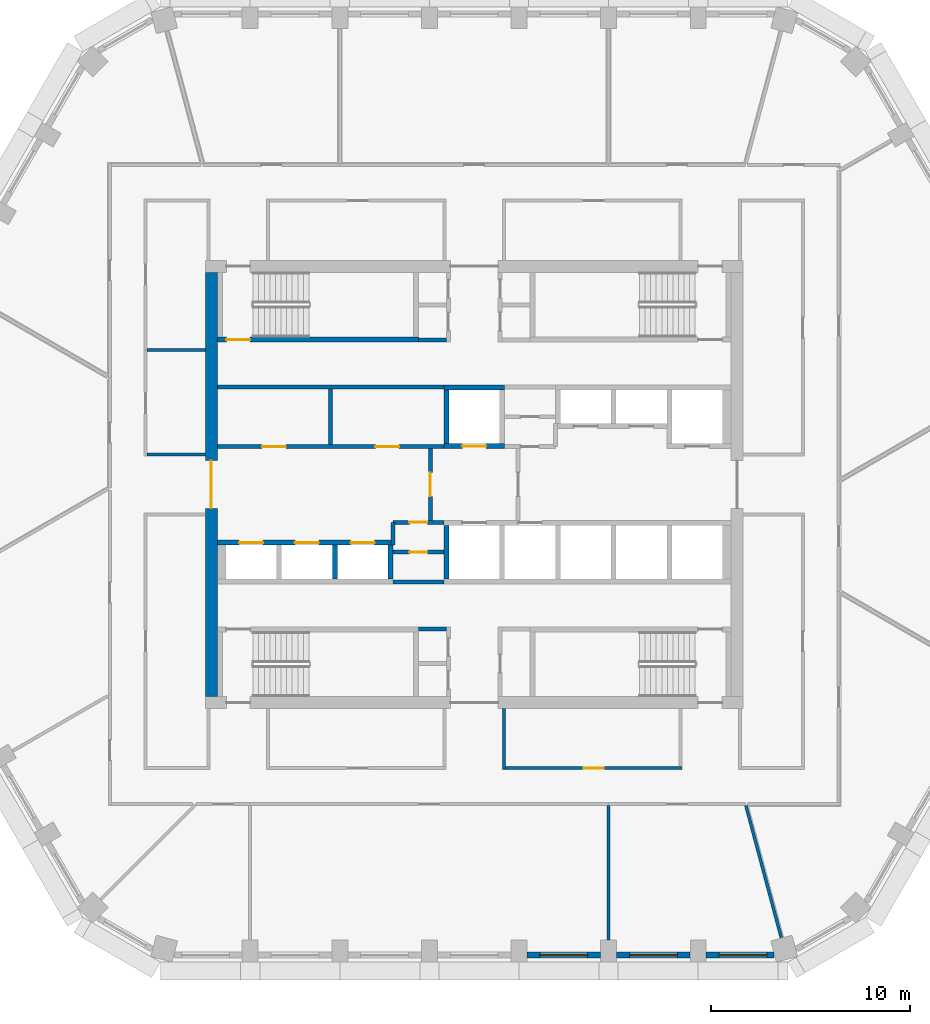
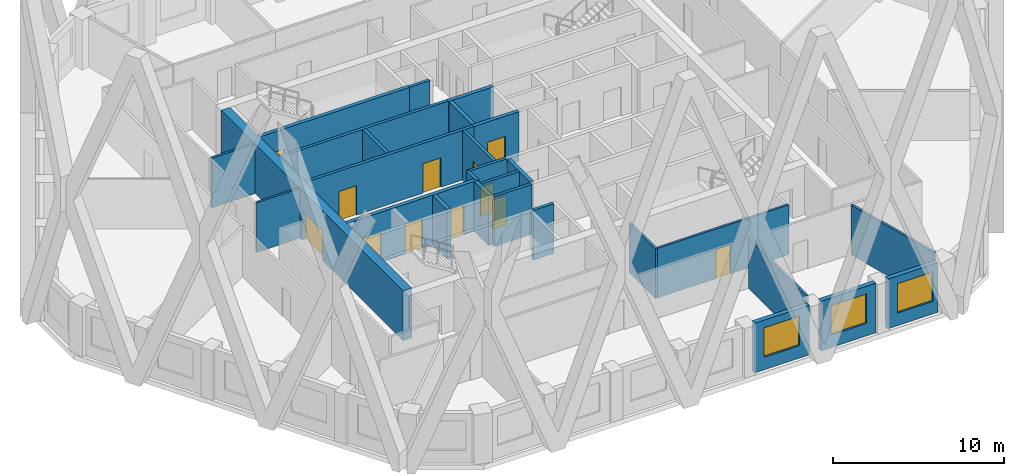
# One storey, part 3 of 16: 28 walls, 12 doors, 3 windows, 15 openings.
"""IFC4 building model written with IfcOpenShell, lengths in metres."""

import ifcopenshell
import ifcopenshell.guid

model = None  # the IFC model being written
_history = None  # IfcOwnerHistory: only IFC2X3 demands one
_inside = {}  # id of a spatial element -> (the spatial element, [elements in it])
_under = {}  # id of a project, library or spatial element -> (it, [spatial elements below it])
_declared = {}  # id of a project -> (the project, [libraries it declares])
_typed = {}  # id of a type object -> (the type object, [elements of that type])
_made_of = {}  # id of a material, layer set ... -> (it, [elements and type objects made of it])


def new_model(schema):
    """Start an empty IFC model of exactly this schema.

    Asked for "IFC4X3", IfcOpenShell would pick the latest addendum, in which some entities
    have other attributes; the version numbers below select the first issue.
    IFC2X3 requires an IfcOwnerHistory on every rooted entity: one is made here for all.
    """
    global model, _history
    if schema == "IFC4X3":
        model = ifcopenshell.file(schema_version=(4, 3, 0, 0))
    else:
        model = ifcopenshell.file(schema=schema)
    _inside.clear()
    _under.clear()
    _declared.clear()
    _typed.clear()
    _made_of.clear()
    _history = None
    if model.schema == "IFC2X3":
        org = make("IfcOrganization", Name="unknown")
        user = make(
            "IfcPersonAndOrganization",
            ThePerson=make("IfcPerson", FamilyName="unknown"),
            TheOrganization=org,
        )
        app = make(
            "IfcApplication",
            ApplicationDeveloper=org,
            Version="unknown",
            ApplicationFullName="unknown",
            ApplicationIdentifier="unknown",
        )
        _history = make(
            "IfcOwnerHistory",
            OwningUser=user,
            OwningApplication=app,
            ChangeAction="ADDED",
            CreationDate=0,
        )
    return model


def make(cls, **values):
    """One entity of the class cls with the attributes given. An attribute that is None is left unset."""
    return model.create_entity(
        cls, **{name: value for name, value in values.items() if value is not None}
    )


def rooted(cls, **values):
    """An entity with a GlobalId (a new one), such as an element, a storey or a relation."""
    return make(cls, GlobalId=ifcopenshell.guid.new(), OwnerHistory=_history, **values)


def si_unit(unit_type, name, prefix=None):
    """IfcSIUnit, for example si_unit("LENGTHUNIT", "METRE", prefix="MILLI")."""
    return make("IfcSIUnit", UnitType=unit_type, Prefix=prefix, Name=name)


def assignment(units):
    """IfcUnitAssignment: the units of a project."""
    return None if units is None else make("IfcUnitAssignment", Units=units)


def point(xyz):
    """IfcCartesianPoint."""
    return None if xyz is None else make("IfcCartesianPoint", Coordinates=xyz)


def direction(xyz):
    """IfcDirection."""
    return None if xyz is None else make("IfcDirection", DirectionRatios=xyz)


def frame(location, z_axis=None, x_axis=None):
    """IfcAxis2Placement3D, a coordinate frame: its origin and axes. An axis left out is left unset."""
    return make(
        "IfcAxis2Placement3D",
        Location=point(location),
        Axis=direction(z_axis),
        RefDirection=direction(x_axis),
    )


def frame_2d(location, x_axis=None):
    """IfcAxis2Placement2D, a coordinate frame in the plane: its origin and x axis."""
    return make(
        "IfcAxis2Placement2D", Location=point(location), RefDirection=direction(x_axis)
    )


def origin():
    """The frame at (0, 0, 0) with its axes left unset."""
    return frame((0.0, 0.0, 0.0))


def place(relative_to, where):
    """IfcLocalPlacement: puts the frame where relative to a parent placement (None: the world)."""
    return make(
        "IfcLocalPlacement", PlacementRelTo=relative_to, RelativePlacement=where
    )


def context(
    kind, dimensions, precision=None, world=None, true_north=None, identifier=None
):
    """IfcGeometricRepresentationContext, for example the 3D "Model" context."""
    return make(
        "IfcGeometricRepresentationContext",
        ContextIdentifier=identifier,
        ContextType=kind,
        CoordinateSpaceDimension=dimensions,
        Precision=precision,
        WorldCoordinateSystem=world,
        TrueNorth=true_north,
    )


def subcontext(parent, identifier, kind, view, scale=None):
    """IfcGeometricRepresentationSubContext, for example "Body" below "Model"."""
    return make(
        "IfcGeometricRepresentationSubContext",
        ContextIdentifier=identifier,
        ContextType=kind,
        ParentContext=parent,
        TargetScale=scale,
        TargetView=view,
    )


def project(units=None, contexts=None):
    """IfcProject with its units and contexts."""
    return rooted(
        "IfcProject",
        Name="project",
        RepresentationContexts=contexts,
        UnitsInContext=assignment(units),
    )


def spatial(cls, under=None, at=None, **own):
    """A site, building, storey or space (cls), placed at a placement, below another one or the project."""
    s = rooted(cls, ObjectPlacement=at, **own)
    if under is not None:
        _under.setdefault(under.id(), (under, []))[1].append(s)
    return s


def polyline(points):
    """IfcPolyline through the points."""
    return make("IfcPolyline", Points=[point(p) for p in points])


def profile(cls, at=None, kind="AREA", **sizes):
    """A parametric profile (cls). Its sizes go by their IFC names, for example OverallWidth=200.0."""
    return make(cls, ProfileType=kind, Position=at, **sizes)


def rectangle(**sizes):
    """IfcRectangleProfileDef."""
    return profile("IfcRectangleProfileDef", **sizes)


def outline(outer, holes=None, kind="AREA"):
    """IfcArbitraryClosedProfileDef: a profile drawn as a closed curve; with holes, ...WithVoids."""
    if holes is None:
        return make("IfcArbitraryClosedProfileDef", ProfileType=kind, OuterCurve=outer)
    return make(
        "IfcArbitraryProfileDefWithVoids",
        ProfileType=kind,
        OuterCurve=outer,
        InnerCurves=holes,
    )


def extrude(swept, where, along, depth):
    """IfcExtrudedAreaSolid: the profile swept, set in the frame where, extruded along a direction by depth."""
    return make(
        "IfcExtrudedAreaSolid",
        SweptArea=swept,
        Position=where,
        ExtrudedDirection=direction(along),
        Depth=depth,
    )


def shape(context_of_items, identifier, shape_type, items):
    """IfcShapeRepresentation: the items that make up one representation, for example the "Body"."""
    return make(
        "IfcShapeRepresentation",
        ContextOfItems=context_of_items,
        RepresentationIdentifier=identifier,
        RepresentationType=shape_type,
        Items=items,
    )


def material(Name=None, Category=None):
    """IfcMaterial."""
    return make("IfcMaterial", Name=Name, Category=Category)


def layer(
    of_material, thickness, ventilated=None, Name=None, Category=None, Priority=None
):
    """IfcMaterialLayer: one layer of a wall or slab, of a material (None: an air gap)."""
    return make(
        "IfcMaterialLayer",
        Material=of_material,
        LayerThickness=thickness,
        IsVentilated=ventilated,
        Name=Name,
        Category=Category,
        Priority=Priority,
    )


def layer_set(layers, Name=None):
    """IfcMaterialLayerSet."""
    return make("IfcMaterialLayerSet", MaterialLayers=layers, LayerSetName=Name)


def made_of(thing, what):
    """Note that an element or type object is made of a material, layer set ...; save() writes the relation."""
    if what is not None:
        _made_of.setdefault(what.id(), (what, []))[1].append(thing)
    return thing


def type_object(cls, material=None, **own):
    """A type object (cls), such as IfcWallType, which elements share."""
    return made_of(rooted(cls, **own), material)


def element(
    cls,
    number,
    at=None,
    inside=None,
    cuts=None,
    type_object=None,
    material=None,
    context=None,
    identifier="Body",
    shape_type=None,
    held_by="IfcProductDefinitionShape",
    body=None,
    shapes=None,
    **own,
):
    """One element of the class cls, such as IfcWall. Its Tag is "e" and its number.

    at: its placement. inside: the storey or other place that contains it. cuts: it is an
    opening in that element (IfcRelVoidsElement). A single representation is given by context,
    identifier, shape_type and body (its items); several are given by shapes. held_by: the class
    of the entity that holds the representations. save() writes the other relations.
    """
    e = rooted(cls, Tag="e%d" % number, ObjectPlacement=at, **own)
    if body is not None:
        shapes = [shape(context, identifier, shape_type, body)]
    if shapes is not None:
        e.Representation = make(held_by, Representations=shapes)
    if inside is not None:
        _inside.setdefault(inside.id(), (inside, []))[1].append(e)
    if cuts is not None:
        rooted(
            "IfcRelVoidsElement", RelatingBuildingElement=cuts, RelatedOpeningElement=e
        )
    if type_object is not None:
        _typed.setdefault(type_object.id(), (type_object, []))[1].append(e)
    return made_of(e, material)


def fill(opening, filler):
    """IfcRelFillsElement: the door or window that sits in an opening."""
    return rooted(
        "IfcRelFillsElement",
        RelatingOpeningElement=opening,
        RelatedBuildingElement=filler,
    )


def aggregate(whole, parts):
    """IfcRelAggregates: a whole, such as a stair, and the parts it consists of."""
    return rooted("IfcRelAggregates", RelatingObject=whole, RelatedObjects=parts)


def save(model, path):
    """Write the relations noted so far, then the file.

    IfcRelAggregates (storeys below a building ...), IfcRelContainedInSpatialStructure (elements
    in a storey), IfcRelDefinesByType, IfcRelAssociatesMaterial and IfcRelDeclares: one each for
    every whole, place, type object, material and project.
    """
    for whole, parts in _under.values():
        aggregate(whole, parts)
    for where, things in _inside.values():
        rooted(
            "IfcRelContainedInSpatialStructure",
            RelatedElements=things,
            RelatingStructure=where,
        )
    for kind, things in _typed.values():
        rooted("IfcRelDefinesByType", RelatedObjects=things, RelatingType=kind)
    for what, things in _made_of.values():
        rooted("IfcRelAssociatesMaterial", RelatedObjects=things, RelatingMaterial=what)
    for by, libraries in _declared.values():
        rooted("IfcRelDeclares", RelatingContext=by, RelatedDefinitions=libraries)
    model.write(path)


model = new_model("IFC4")

# Units and contexts
model_context = context("Model", 3, precision=1e-05, world=origin(), true_north=direction((0.0, 1.0)))
body_context = subcontext(model_context, "Body", "Model", "MODEL_VIEW")
ifc_project = project(units=[si_unit("LENGTHUNIT", "METRE"), si_unit("AREAUNIT", "SQUARE_METRE"), si_unit("VOLUMEUNIT", "CUBIC_METRE"), si_unit("PLANEANGLEUNIT", "RADIAN"), si_unit("MASSUNIT", "GRAM", prefix="KILO")], contexts=[model_context])

# Site, building, storey
site_placement = place(None, origin())
site = spatial("IfcSite", under=ifc_project, at=site_placement, CompositionType="ELEMENT")
building_placement = place(site_placement, origin())
building = spatial("IfcBuilding", under=site, at=building_placement, Name="Dhurran Vertical Campus", CompositionType="ELEMENT")
storey_placement = place(building_placement, frame((0.0, 0.0, 183.89990234375)))
storey = spatial("IfcBuildingStorey", under=building, at=storey_placement, Name="L45", CompositionType="ELEMENT", Elevation=183.89990234375)

# Wall, opening, window
ifc_material_1 = material(Name="Precast concrete C50/60", Category="concrete")
ifc_layer_1 = layer(ifc_material_1, 0.300048828125)
ifc_layer_set_1 = layer_set([ifc_layer_1], Name="Precast concrete C50/60")
wall_type_1 = type_object("IfcWallType", Name="Precast spandrel wall 300", PredefinedType="SOLIDWALL", material=ifc_layer_set_1)
wall_1_placement = place(storey_placement, frame((2.650390625, -23.635498046875, 0.0), z_axis=(0.0, 0.0, 1.0), x_axis=(1.0, 0.0, 0.0)))
wall_1 = element("IfcWall", 1, at=wall_1_placement, inside=storey, type_object=wall_type_1, Name="EW1 L45.04", PredefinedType="SOLIDWALL", context=body_context, shape_type="SweptSolid", body=[
    extrude(rectangle(XDim=3.69921875, YDim=0.300048828125, at=frame_2d((1.849609375, 0.0))), origin(), (0.0, 0.0, 1.0), 3.550048828125),
])
opening_1_placement = place(wall_1_placement, frame((0.6494140625, 0.0, 0.89990234375)))
opening_1 = element("IfcOpeningElement", 2, at=opening_1_placement, cuts=wall_1, Name="Opening WT1", PredefinedType="OPENING", context=body_context, shape_type="SweptSolid", body=[
    extrude(rectangle(XDim=2.39990234375, YDim=2.10009765625, at=frame_2d((1.199951171875, 1.050048828125))), frame((0.0, 0.159912109375, 0.0), z_axis=(0.0, -1.0, 0.0), x_axis=(1.0, 0.0, 0.0)), (0.0, 0.0, 1.0), 0.320068359375),
])
ifc_material_2 = material(Name="Aluminium frame with solar-control glass", Category="aluminium")
window_type = type_object("IfcWindowType", Name="Punched window 2400 x 2100", PartitioningType="SINGLE_PANEL", PredefinedType="WINDOW", material=ifc_material_2)
window_1_placement = place(opening_1_placement, origin())
window_1 = element("IfcWindow", 3, at=window_1_placement, inside=storey, type_object=window_type, Name="WT1 L45.04", OverallHeight=2.10009765625, OverallWidth=2.39990234375, PartitioningType="SINGLE_PANEL", PredefinedType="WINDOW", context=body_context, shape_type="SweptSolid", body=[
    extrude(rectangle(XDim=2.39990234375, YDim=2.10009765625, at=frame_2d((1.199951171875, 1.050048828125))), frame((0.0, 0.030029296875, 0.0), z_axis=(0.0, -1.0, 0.0), x_axis=(1.0, 0.0, 0.0)), (0.0, 0.0, 1.0), 0.06005859375),
])
fill(opening_1, window_1)

wall_2_placement = place(storey_placement, frame((7.150390625, -23.635498046875, 0.0), z_axis=(0.0, 0.0, 1.0), x_axis=(1.0, 0.0, 0.0)))
wall_2 = element("IfcWall", 4, at=wall_2_placement, inside=storey, type_object=wall_type_1, Name="EW1 L45.05", PredefinedType="SOLIDWALL", context=body_context, shape_type="SweptSolid", body=[
    extrude(rectangle(XDim=3.69921875, YDim=0.300048828125, at=frame_2d((1.849609375, 0.0))), origin(), (0.0, 0.0, 1.0), 3.550048828125),
])
opening_2_placement = place(wall_2_placement, frame((0.6494140625, 0.0, 0.89990234375)))
opening_2 = element("IfcOpeningElement", 5, at=opening_2_placement, cuts=wall_2, Name="Opening WT1", PredefinedType="OPENING", context=body_context, shape_type="SweptSolid", body=[
    extrude(rectangle(XDim=2.39990234375, YDim=2.10009765625, at=frame_2d((1.199951171875, 1.050048828125))), frame((0.0, 0.159912109375, 0.0), z_axis=(0.0, -1.0, 0.0), x_axis=(1.0, 0.0, 0.0)), (0.0, 0.0, 1.0), 0.320068359375),
])
window_2_placement = place(opening_2_placement, origin())
window_2 = element("IfcWindow", 6, at=window_2_placement, inside=storey, type_object=window_type, Name="WT1 L45.05", OverallHeight=2.10009765625, OverallWidth=2.39990234375, PartitioningType="SINGLE_PANEL", PredefinedType="WINDOW", context=body_context, shape_type="SweptSolid", body=[
    extrude(rectangle(XDim=2.39990234375, YDim=2.10009765625, at=frame_2d((1.199951171875, 1.050048828125))), frame((0.0, 0.030029296875, 0.0), z_axis=(0.0, -1.0, 0.0), x_axis=(1.0, 0.0, 0.0)), (0.0, 0.0, 1.0), 0.06005859375),
])
fill(opening_2, window_2)

wall_3_placement = place(storey_placement, frame((11.650390625, -23.635498046875, 0.0), z_axis=(0.0, 0.0, 1.0), x_axis=(1.0, 0.0, 0.0)))
wall_3 = element("IfcWall", 7, at=wall_3_placement, inside=storey, type_object=wall_type_1, Name="EW1 L45.06", PredefinedType="SOLIDWALL", context=body_context, shape_type="SweptSolid", body=[
    extrude(rectangle(XDim=3.39599609375, YDim=0.300048828125, at=frame_2d((1.697998046875, 0.0))), origin(), (0.0, 0.0, 1.0), 3.550048828125),
])
opening_3_placement = place(wall_3_placement, frame((0.6494140625, 0.0, 0.89990234375)))
opening_3 = element("IfcOpeningElement", 8, at=opening_3_placement, cuts=wall_3, Name="Opening WT1", PredefinedType="OPENING", context=body_context, shape_type="SweptSolid", body=[
    extrude(rectangle(XDim=2.39990234375, YDim=2.10009765625, at=frame_2d((1.199951171875, 1.050048828125))), frame((0.0, 0.159912109375, 0.0), z_axis=(0.0, -1.0, 0.0), x_axis=(1.0, 0.0, 0.0)), (0.0, 0.0, 1.0), 0.320068359375),
])
window_3_placement = place(opening_3_placement, origin())
window_3 = element("IfcWindow", 9, at=window_3_placement, inside=storey, type_object=window_type, Name="WT1 L45.06", OverallHeight=2.10009765625, OverallWidth=2.39990234375, PartitioningType="SINGLE_PANEL", PredefinedType="WINDOW", context=body_context, shape_type="SweptSolid", body=[
    extrude(rectangle(XDim=2.39990234375, YDim=2.10009765625, at=frame_2d((1.199951171875, 1.050048828125))), frame((0.0, 0.030029296875, 0.0), z_axis=(0.0, -1.0, 0.0), x_axis=(1.0, 0.0, 0.0)), (0.0, 0.0, 1.0), 0.06005859375),
])
fill(opening_3, window_3)

# Wall, opening, door
ifc_material_3 = material(Name="Concrete C50/60", Category="concrete")
ifc_layer_2 = layer(ifc_material_3, 0.60009765625)
ifc_layer_set_2 = layer_set([ifc_layer_2], Name="Concrete C50/60")
wall_type_2 = type_object("IfcWallType", Name="co-CORE-WALL-C2-600", PredefinedType="SHEAR", material=ifc_layer_set_2)
wall_4_placement = place(storey_placement, frame((-13.199951171875, -10.64990234375, 0.0), z_axis=(0.0, 0.0, 1.0), x_axis=(0.0, 1.0, 0.0)))
wall_4 = element("IfcWall", 10, at=wall_4_placement, inside=storey, type_object=wall_type_2, Name="Core wall W L45", PredefinedType="SHEAR", context=body_context, shape_type="SweptSolid", body=[
    extrude(rectangle(XDim=21.2998046875, YDim=0.60009765625, at=frame_2d((10.64990234375, 0.0))), origin(), (0.0, 0.0, 1.0), 3.550048828125),
])
opening_4_placement = place(wall_4_placement, frame((9.449951171875, 0.0, 0.0)))
opening_4 = element("IfcOpeningElement", 11, at=opening_4_placement, cuts=wall_4, Name="Opening CL1", PredefinedType="OPENING", context=body_context, shape_type="SweptSolid", body=[
    extrude(rectangle(XDim=2.39990234375, YDim=2.10009765625, at=frame_2d((1.199951171875, 1.050048828125))), frame((0.0, 0.31005859375, 0.0), z_axis=(0.0, -1.0, 0.0), x_axis=(1.0, 0.0, 0.0)), (0.0, 0.0, 1.0), 0.6201171875),
])
ifc_material_4 = material(Name="Fire-rated glazed door set")
door_type_1 = type_object("IfcDoorType", Name="co-D-LOBBY 2400x2100", OperationType="DOUBLE_DOOR_DOUBLE_SWING", PredefinedType="DOOR", material=ifc_material_4)
door_1_placement = place(opening_4_placement, origin())
door_1 = element("IfcDoor", 12, at=door_1_placement, inside=storey, type_object=door_type_1, Name="Lift lobby door W L45", OperationType="DOUBLE_DOOR_DOUBLE_SWING", OverallHeight=2.10009765625, OverallWidth=2.39990234375, PredefinedType="DOOR", context=body_context, shape_type="SweptSolid", body=[
    extrude(rectangle(XDim=2.39990234375, YDim=2.10009765625, at=frame_2d((1.199951171875, 1.050048828125))), frame((0.0, 0.02490234375, 0.0), z_axis=(0.0, -1.0, 0.0), x_axis=(1.0, 0.0, 0.0)), (0.0, 0.0, 1.0), 0.050048828125),
])
fill(opening_4, door_1)

ifc_material_5 = material(Name="Fire-rated masonry blockwork", Category="masonry")
ifc_layer_3 = layer(ifc_material_5, 0.199951171875)
ifc_layer_set_3 = layer_set([ifc_layer_3], Name="Fire-rated masonry blockwork")
wall_type_3 = type_object("IfcWallType", Name="co-FIRE-PARTITION-200", PredefinedType="PARTITIONING", material=ifc_layer_set_3)
wall_5_placement = place(storey_placement, frame((-2.199951171875, -1.800048828125, 0.0), z_axis=(0.0, 0.0, 1.0), x_axis=(0.0, 1.0, 0.0)))
wall_5 = element("IfcWall", 13, at=wall_5_placement, inside=storey, type_object=wall_type_3, Name="Firefighting lobby wall W L45", PredefinedType="PARTITIONING", context=body_context, shape_type="SweptSolid", body=[
    extrude(rectangle(XDim=3.60009765625, YDim=0.199951171875, at=frame_2d((1.800048828125, 0.0))), origin(), (0.0, 0.0, 1.0), 3.550048828125),
])
opening_5_placement = place(wall_5_placement, frame((1.199951171875, 0.0, 0.0)))
opening_5 = element("IfcOpeningElement", 14, at=opening_5_placement, cuts=wall_5, Name="Opening FL1", PredefinedType="OPENING", context=body_context, shape_type="SweptSolid", body=[
    extrude(rectangle(XDim=1.199951171875, YDim=2.10009765625, at=frame_2d((0.60009765625, 1.050048828125))), frame((0.0, 0.10986328125, 0.0), z_axis=(0.0, -1.0, 0.0), x_axis=(1.0, 0.0, 0.0)), (0.0, 0.0, 1.0), 0.219970703125),
])
ifc_material_6 = material(Name="Fire-rated steel door set", Category="steel")
door_type_2 = type_object("IfcDoorType", Name="co-D-FFLOBBY 1200x2100", OperationType="SINGLE_SWING_LEFT", PredefinedType="DOOR", material=ifc_material_6)
door_2_placement = place(opening_5_placement, origin())
door_2 = element("IfcDoor", 15, at=door_2_placement, inside=storey, type_object=door_type_2, Name="Firefighting lobby door W L45", OperationType="SINGLE_SWING_LEFT", OverallHeight=2.10009765625, OverallWidth=1.199951171875, PredefinedType="DOOR", context=body_context, shape_type="SweptSolid", body=[
    extrude(rectangle(XDim=1.199951171875, YDim=2.10009765625, at=frame_2d((0.60009765625, 1.050048828125))), frame((0.0, 0.02490234375, 0.0), z_axis=(0.0, -1.0, 0.0), x_axis=(1.0, 0.0, 0.0)), (0.0, 0.0, 1.0), 0.050048828125),
])
fill(opening_5, door_2)

# Walls
for number, where, z_axis, x_axis, name in (
    (16, (-2.800048828125, 7.25, 0.0), (0.0, 0.0, 1.0), (1.0, 0.0, 0.0), "Core partition sl-NW-S L45"),
    (17, (-2.800048828125, -7.25, 0.0), (0.0, 0.0, 1.0), (1.0, 0.0, 0.0), "Core partition sl-SW-S L45"),
):
    element("IfcWall", number, at=place(storey_placement, frame(where, z_axis=z_axis, x_axis=x_axis)), inside=storey, type_object=wall_type_3, Name=name, PredefinedType="PARTITIONING", context=body_context, shape_type="SweptSolid", body=[
        extrude(rectangle(XDim=1.400146484375, YDim=0.199951171875, at=frame_2d((0.7001953125, 0.0))), origin(), (0.0, 0.0, 1.0), 3.550048828125),
    ])
wall_6_placement = place(storey_placement, frame((-7.21240234375, 2.0, 0.0), z_axis=(0.0, 0.0, 1.0), x_axis=(0.0, 1.0, 0.0)))
element("IfcWall", 18, at=wall_6_placement, inside=storey, type_object=wall_type_3, Name="Core partition fr-N0-cut0 L45", PredefinedType="PARTITIONING", context=body_context, shape_type="SweptSolid", body=[
    extrude(rectangle(XDim=2.800048828125, YDim=0.199951171875, at=frame_2d((1.39990234375, 0.0))), origin(), (0.0, 0.0, 1.0), 3.550048828125),
])

# Wall, openings, doors
wall_7_placement = place(storey_placement, frame((-12.89990234375, 1.89990234375, 0.0), z_axis=(0.0, 0.0, 1.0), x_axis=(1.0, 0.0, 0.0)))
wall_7 = element("IfcWall", 19, at=wall_7_placement, inside=storey, type_object=wall_type_3, Name="Core partition fr-N0-f L45", PredefinedType="PARTITIONING", context=body_context, shape_type="SweptSolid", body=[
    extrude(rectangle(XDim=11.375, YDim=0.199951171875, at=frame_2d((5.6875, 0.0))), origin(), (0.0, 0.0, 1.0), 3.550048828125),
])
opening_6_placement = place(wall_7_placement, frame((2.243896484375, 0.0, 0.0)))
opening_6 = element("IfcOpeningElement", 20, at=opening_6_placement, cuts=wall_7, Name="Opening T13-C8", PredefinedType="OPENING", context=body_context, shape_type="SweptSolid", body=[
    extrude(rectangle(XDim=1.199951171875, YDim=2.10009765625, at=frame_2d((0.60009765625, 1.050048828125))), frame((0.0, 0.10986328125, 0.0), z_axis=(0.0, -1.0, 0.0), x_axis=(1.0, 0.0, 0.0)), (0.0, 0.0, 1.0), 0.219970703125),
])
opening_7_placement = place(wall_7_placement, frame((7.931396484375, 0.0, 0.0)))
opening_7 = element("IfcOpeningElement", 21, at=opening_7_placement, cuts=wall_7, Name="Opening T13-C9", PredefinedType="OPENING", context=body_context, shape_type="SweptSolid", body=[
    extrude(rectangle(XDim=1.199951171875, YDim=2.10009765625, at=frame_2d((0.60009765625, 1.050048828125))), frame((0.0, 0.10986328125, 0.0), z_axis=(0.0, -1.0, 0.0), x_axis=(1.0, 0.0, 0.0)), (0.0, 0.0, 1.0), 0.219970703125),
])
ifc_material_7 = material(Name="Fire-rated steel door set", Category="steel")
door_type_3 = type_object("IfcDoorType", Name="co-D-ROOM-PASSAGE 1200x2100", OperationType="SINGLE_SWING_RIGHT", PredefinedType="DOOR", material=ifc_material_7)
door_3_placement = place(opening_6_placement, origin())
door_3 = element("IfcDoor", 22, at=door_3_placement, inside=storey, type_object=door_type_3, Name="Electrical riser door L45", OperationType="SINGLE_SWING_RIGHT", OverallHeight=2.10009765625, OverallWidth=1.199951171875, PredefinedType="DOOR", context=body_context, shape_type="SweptSolid", body=[
    extrude(rectangle(XDim=1.199951171875, YDim=2.10009765625, at=frame_2d((0.60009765625, 1.050048828125))), frame((0.0, 0.02490234375, 0.0), z_axis=(0.0, -1.0, 0.0), x_axis=(1.0, 0.0, 0.0)), (0.0, 0.0, 1.0), 0.050048828125),
])
fill(opening_6, door_3)
door_4_placement = place(opening_7_placement, origin())
door_4 = element("IfcDoor", 23, at=door_4_placement, inside=storey, type_object=door_type_3, Name="Server room door L45", OperationType="SINGLE_SWING_RIGHT", OverallHeight=2.10009765625, OverallWidth=1.199951171875, PredefinedType="DOOR", context=body_context, shape_type="SweptSolid", body=[
    extrude(rectangle(XDim=1.199951171875, YDim=2.10009765625, at=frame_2d((0.60009765625, 1.050048828125))), frame((0.0, 0.02490234375, 0.0), z_axis=(0.0, -1.0, 0.0), x_axis=(1.0, 0.0, 0.0)), (0.0, 0.0, 1.0), 0.050048828125),
])
fill(opening_7, door_4)

# Wall
wall_8_placement = place(storey_placement, frame((-12.89990234375, 4.89990234375, 0.0), z_axis=(0.0, 0.0, 1.0), x_axis=(1.0, 0.0, 0.0)))
element("IfcWall", 24, at=wall_8_placement, inside=storey, type_object=wall_type_3, Name="Core partition fr-N0-b L45", PredefinedType="PARTITIONING", context=body_context, shape_type="SweptSolid", body=[
    extrude(rectangle(XDim=11.375, YDim=0.199951171875, at=frame_2d((5.6875, 0.0))), origin(), (0.0, 0.0, 1.0), 3.550048828125),
])

# Wall, opening, door
wall_9_placement = place(storey_placement, frame((-4.074951171875, -3.39990234375, 0.0), z_axis=(0.0, 0.0, 1.0), x_axis=(1.0, 0.0, 0.0)))
wall_9 = element("IfcWall", 25, at=wall_9_placement, inside=storey, type_object=wall_type_3, Name="Core partition fr-S0-c L45", PredefinedType="PARTITIONING", context=body_context, shape_type="SweptSolid", body=[
    extrude(rectangle(XDim=2.550048828125, YDim=0.199951171875, at=frame_2d((1.27490234375, 0.0))), origin(), (0.0, 0.0, 1.0), 3.550048828125),
])
opening_8_placement = place(wall_9_placement, frame((0.824951171875, 0.0, 0.0)))
opening_8 = element("IfcOpeningElement", 26, at=opening_8_placement, cuts=wall_9, Name="Opening T13-C12", PredefinedType="OPENING", context=body_context, shape_type="SweptSolid", body=[
    extrude(rectangle(XDim=0.89990234375, YDim=2.10009765625, at=frame_2d((0.449951171875, 1.050048828125))), frame((0.0, 0.10986328125, 0.0), z_axis=(0.0, -1.0, 0.0), x_axis=(1.0, 0.0, 0.0)), (0.0, 0.0, 1.0), 0.219970703125),
])
ifc_material_8 = material(Name="Fire-rated timber door set", Category="wood")
door_type_4 = type_object("IfcDoorType", Name="co-D-ROOM 900x2100", OperationType="SINGLE_SWING_LEFT", PredefinedType="DOOR", material=ifc_material_8)
door_5_placement = place(opening_8_placement, origin())
door_5 = element("IfcDoor", 27, at=door_5_placement, inside=storey, type_object=door_type_4, Name="Server room door L45", OperationType="SINGLE_SWING_LEFT", OverallHeight=2.10009765625, OverallWidth=0.89990234375, PredefinedType="DOOR", context=body_context, shape_type="SweptSolid", body=[
    extrude(rectangle(XDim=0.89990234375, YDim=2.10009765625, at=frame_2d((0.449951171875, 1.050048828125))), frame((0.0, 0.02490234375, 0.0), z_axis=(0.0, -1.0, 0.0), x_axis=(1.0, 0.0, 0.0)), (0.0, 0.0, 1.0), 0.050048828125),
])
fill(opening_8, door_5)

wall_10_placement = place(storey_placement, frame((-4.074951171875, -1.89990234375, 0.0), z_axis=(0.0, 0.0, 1.0), x_axis=(1.0, 0.0, 0.0)))
wall_10 = element("IfcWall", 28, at=wall_10_placement, inside=storey, type_object=wall_type_3, Name="Core partition fr-S0-f L45", PredefinedType="PARTITIONING", context=body_context, shape_type="SweptSolid", body=[
    extrude(rectangle(XDim=2.550048828125, YDim=0.199951171875, at=frame_2d((1.27490234375, 0.0))), origin(), (0.0, 0.0, 1.0), 3.550048828125),
])
opening_9_placement = place(wall_10_placement, frame((0.824951171875, 0.0, 0.0)))
opening_9 = element("IfcOpeningElement", 29, at=opening_9_placement, cuts=wall_10, Name="Opening T13-C13", PredefinedType="OPENING", context=body_context, shape_type="SweptSolid", body=[
    extrude(rectangle(XDim=0.89990234375, YDim=2.10009765625, at=frame_2d((0.449951171875, 1.050048828125))), frame((0.0, 0.10986328125, 0.0), z_axis=(0.0, -1.0, 0.0), x_axis=(1.0, 0.0, 0.0)), (0.0, 0.0, 1.0), 0.219970703125),
])
door_6_placement = place(opening_9_placement, origin())
door_6 = element("IfcDoor", 30, at=door_6_placement, inside=storey, type_object=door_type_4, Name="Print room door L45", OperationType="SINGLE_SWING_LEFT", OverallHeight=2.10009765625, OverallWidth=0.89990234375, PredefinedType="DOOR", context=body_context, shape_type="SweptSolid", body=[
    extrude(rectangle(XDim=0.89990234375, YDim=2.10009765625, at=frame_2d((0.449951171875, 1.050048828125))), frame((0.0, 0.02490234375, 0.0), z_axis=(0.0, -1.0, 0.0), x_axis=(1.0, 0.0, 0.0)), (0.0, 0.0, 1.0), 0.050048828125),
])
fill(opening_9, door_6)

# Walls
wall_11_placement = place(storey_placement, frame((-4.074951171875, -4.89990234375, 0.0), z_axis=(0.0, 0.0, 1.0), x_axis=(1.0, 0.0, 0.0)))
element("IfcWall", 31, at=wall_11_placement, inside=storey, type_object=wall_type_3, Name="Core partition fr-S0-b L45", PredefinedType="PARTITIONING", context=body_context, shape_type="SweptSolid", body=[
    extrude(rectangle(XDim=2.550048828125, YDim=0.199951171875, at=frame_2d((1.27490234375, 0.0))), origin(), (0.0, 0.0, 1.0), 3.550048828125),
])
wall_12_placement = place(storey_placement, frame((-4.074951171875, -1.89990234375, 0.0), z_axis=(0.0, 0.0, 1.0), x_axis=(0.0, -1.0, 0.0)))
element("IfcWall", 32, at=wall_12_placement, inside=storey, type_object=wall_type_3, Name="Core partition fr-S0-n0 L45", PredefinedType="PARTITIONING", context=body_context, shape_type="SweptSolid", body=[
    extrude(rectangle(XDim=1.150146484375, YDim=0.199951171875, at=frame_2d((0.5751953125, 0.0))), origin(), (0.0, 0.0, 1.0), 3.550048828125),
])

# Wall, opening, door
ifc_material_9 = material(Name="Concrete C50/60", Category="concrete")
ifc_layer_4 = layer(ifc_material_9, 0.25)
ifc_layer_set_4 = layer_set([ifc_layer_4], Name="Concrete C50/60")
wall_type_4 = type_object("IfcWallType", Name="co-SHAFT-FRONT-250", PredefinedType="SHEAR", material=ifc_layer_set_4)
wall_13_placement = place(storey_placement, frame((-1.52490234375, 1.925048828125, 0.0), z_axis=(0.0, 0.0, 1.0), x_axis=(1.0, 0.0, 0.0)))
wall_13 = element("IfcWall", 33, at=wall_13_placement, inside=storey, type_object=wall_type_4, Name="Lift landing wall N L45", PredefinedType="SHEAR", context=body_context, shape_type="SweptSolid", body=[
    extrude(rectangle(XDim=3.0498046875, YDim=0.25, at=frame_2d((1.52490234375, 0.0))), origin(), (0.0, 0.0, 1.0), 3.550048828125),
])
opening_10_placement = place(wall_13_placement, frame((0.925048828125, 0.0, 0.0)))
opening_10 = element("IfcOpeningElement", 34, at=opening_10_placement, cuts=wall_13, Name="Opening LD", PredefinedType="OPENING", context=body_context, shape_type="SweptSolid", body=[
    extrude(rectangle(XDim=1.199951171875, YDim=2.10009765625, at=frame_2d((0.60009765625, 1.050048828125))), frame((0.0, 0.135009765625, 0.0), z_axis=(0.0, -1.0, 0.0), x_axis=(1.0, 0.0, 0.0)), (0.0, 0.0, 1.0), 0.27001953125),
])
ifc_material_10 = material(Name="Stainless steel landing door", Category="steel")
door_type_5 = type_object("IfcDoorType", Name="co-D-LANDING 1200x2100", OperationType="DOUBLE_DOOR_SLIDING", PredefinedType="DOOR", material=ifc_material_10)
door_7_placement = place(opening_10_placement, origin())
door_7 = element("IfcDoor", 35, at=door_7_placement, inside=storey, type_object=door_type_5, Name="Landing door FF1 L45", OperationType="DOUBLE_DOOR_SLIDING", OverallHeight=2.10009765625, OverallWidth=1.199951171875, PredefinedType="DOOR", context=body_context, shape_type="SweptSolid", body=[
    extrude(rectangle(XDim=1.199951171875, YDim=2.10009765625, at=frame_2d((0.60009765625, 1.050048828125))), frame((0.0, 0.02490234375, 0.0), z_axis=(0.0, -1.0, 0.0), x_axis=(1.0, 0.0, 0.0)), (0.0, 0.0, 1.0), 0.050048828125),
])
fill(opening_10, door_7)

# Wall, openings, doors
wall_14_placement = place(storey_placement, frame((-12.89990234375, -2.925048828125, 0.0), z_axis=(0.0, 0.0, 1.0), x_axis=(1.0, 0.0, 0.0)))
wall_14 = element("IfcWall", 36, at=wall_14_placement, inside=storey, type_object=wall_type_4, Name="Lift landing wall S L45", PredefinedType="SHEAR", context=body_context, shape_type="SweptSolid", body=[
    extrude(rectangle(XDim=8.824951171875, YDim=0.25, at=frame_2d((4.41259765625, 0.0))), origin(), (0.0, 0.0, 1.0), 3.550048828125),
])
opening_11_placement = place(wall_14_placement, frame((1.10009765625, 0.0, 0.0)))
opening_11 = element("IfcOpeningElement", 37, at=opening_11_placement, cuts=wall_14, Name="Opening LD", PredefinedType="OPENING", context=body_context, shape_type="SweptSolid", body=[
    extrude(rectangle(XDim=1.199951171875, YDim=2.10009765625, at=frame_2d((0.60009765625, 1.050048828125))), frame((0.0, 0.135009765625, 0.0), z_axis=(0.0, -1.0, 0.0), x_axis=(1.0, 0.0, 0.0)), (0.0, 0.0, 1.0), 0.27001953125),
])
opening_12_placement = place(wall_14_placement, frame((3.89990234375, 0.0, 0.0)))
opening_12 = element("IfcOpeningElement", 38, at=opening_12_placement, cuts=wall_14, Name="Opening LD", PredefinedType="OPENING", context=body_context, shape_type="SweptSolid", body=[
    extrude(rectangle(XDim=1.199951171875, YDim=2.10009765625, at=frame_2d((0.60009765625, 1.050048828125))), frame((0.0, 0.135009765625, 0.0), z_axis=(0.0, -1.0, 0.0), x_axis=(1.0, 0.0, 0.0)), (0.0, 0.0, 1.0), 0.27001953125),
])
opening_13_placement = place(wall_14_placement, frame((6.699951171875, 0.0, 0.0)))
opening_13 = element("IfcOpeningElement", 39, at=opening_13_placement, cuts=wall_14, Name="Opening LD", PredefinedType="OPENING", context=body_context, shape_type="SweptSolid", body=[
    extrude(rectangle(XDim=1.199951171875, YDim=2.10009765625, at=frame_2d((0.60009765625, 1.050048828125))), frame((0.0, 0.135009765625, 0.0), z_axis=(0.0, -1.0, 0.0), x_axis=(1.0, 0.0, 0.0)), (0.0, 0.0, 1.0), 0.27001953125),
])
door_8_placement = place(opening_11_placement, origin())
door_8 = element("IfcDoor", 40, at=door_8_placement, inside=storey, type_object=door_type_5, Name="Landing door MR3 L45", OperationType="DOUBLE_DOOR_SLIDING", OverallHeight=2.10009765625, OverallWidth=1.199951171875, PredefinedType="DOOR", context=body_context, shape_type="SweptSolid", body=[
    extrude(rectangle(XDim=1.199951171875, YDim=2.10009765625, at=frame_2d((0.60009765625, 1.050048828125))), frame((0.0, 0.02490234375, 0.0), z_axis=(0.0, -1.0, 0.0), x_axis=(1.0, 0.0, 0.0)), (0.0, 0.0, 1.0), 0.050048828125),
])
fill(opening_11, door_8)
door_9_placement = place(opening_12_placement, origin())
door_9 = element("IfcDoor", 41, at=door_9_placement, inside=storey, type_object=door_type_5, Name="Landing door MR4 L45", OperationType="DOUBLE_DOOR_SLIDING", OverallHeight=2.10009765625, OverallWidth=1.199951171875, PredefinedType="DOOR", context=body_context, shape_type="SweptSolid", body=[
    extrude(rectangle(XDim=1.199951171875, YDim=2.10009765625, at=frame_2d((0.60009765625, 1.050048828125))), frame((0.0, 0.02490234375, 0.0), z_axis=(0.0, -1.0, 0.0), x_axis=(1.0, 0.0, 0.0)), (0.0, 0.0, 1.0), 0.050048828125),
])
fill(opening_12, door_9)
door_10_placement = place(opening_13_placement, origin())
door_10 = element("IfcDoor", 42, at=door_10_placement, inside=storey, type_object=door_type_5, Name="Landing door MR5 L45", OperationType="DOUBLE_DOOR_SLIDING", OverallHeight=2.10009765625, OverallWidth=1.199951171875, PredefinedType="DOOR", context=body_context, shape_type="SweptSolid", body=[
    extrude(rectangle(XDim=1.199951171875, YDim=2.10009765625, at=frame_2d((0.60009765625, 1.050048828125))), frame((0.0, 0.02490234375, 0.0), z_axis=(0.0, -1.0, 0.0), x_axis=(1.0, 0.0, 0.0)), (0.0, 0.0, 1.0), 0.050048828125),
])
fill(opening_13, door_10)

# Walls
ifc_material_11 = material(Name="Concrete C50/60", Category="concrete")
ifc_layer_5 = layer(ifc_material_11, 0.25)
ifc_layer_set_5 = layer_set([ifc_layer_5], Name="Concrete C50/60")
wall_type_5 = type_object("IfcWallType", Name="co-SHAFT-MASS-250", PredefinedType="SHEAR", material=ifc_layer_set_5)
wall_15_placement = place(storey_placement, origin())
element("IfcWall", 43, at=wall_15_placement, inside=storey, type_object=wall_type_5, Name="Lift shaft wall N L45 1", PredefinedType="SHEAR", context=body_context, shape_type="SweptSolid", body=[
    extrude(outline(polyline([(-1.52490234375, 4.75), (1.52490234375, 4.75), (1.52490234375, 5.0), (-1.52490234375, 5.0), (-1.52490234375, 4.75)])), origin(), (0.0, 0.0, 1.0), 3.550048828125),
])
wall_16_placement = place(storey_placement, origin())
element("IfcWall", 44, at=wall_16_placement, inside=storey, type_object=wall_type_5, Name="Lift shaft wall N L45 3", PredefinedType="SHEAR", context=body_context, shape_type="SweptSolid", body=[
    extrude(outline(polyline([(-1.52490234375, 2.050048828125), (-1.27490234375, 2.050048828125), (-1.27490234375, 4.75), (-1.52490234375, 4.75), (-1.52490234375, 2.050048828125)])), origin(), (0.0, 0.0, 1.0), 3.550048828125),
])
wall_17_placement = place(storey_placement, origin())
element("IfcWall", 45, at=wall_17_placement, inside=storey, type_object=wall_type_5, Name="Lift shaft wall S L45 5", PredefinedType="SHEAR", context=body_context, shape_type="SweptSolid", body=[
    extrude(outline(polyline([(-7.125, -4.75), (-6.875, -4.75), (-6.875, -3.050048828125), (-7.125, -3.050048828125), (-7.125, -4.75)])), origin(), (0.0, 0.0, 1.0), 3.550048828125),
])
wall_18_placement = place(storey_placement, origin())
element("IfcWall", 46, at=wall_18_placement, inside=storey, type_object=wall_type_5, Name="Lift shaft wall S L45 6", PredefinedType="SHEAR", context=body_context, shape_type="SweptSolid", body=[
    extrude(outline(polyline([(-4.324951171875, -4.75), (-4.074951171875, -4.75), (-4.074951171875, -3.050048828125), (-4.324951171875, -3.050048828125), (-4.324951171875, -4.75)])), origin(), (0.0, 0.0, 1.0), 3.550048828125),
])
wall_19_placement = place(storey_placement, origin())
element("IfcWall", 47, at=wall_19_placement, inside=storey, type_object=wall_type_5, Name="Lift shaft wall S L45 7", PredefinedType="SHEAR", context=body_context, shape_type="SweptSolid", body=[
    extrude(outline(polyline([(-1.52490234375, -4.75), (-1.27490234375, -4.75), (-1.27490234375, -2.050048828125), (-1.52490234375, -2.050048828125), (-1.52490234375, -4.75)])), origin(), (0.0, 0.0, 1.0), 3.550048828125),
])

# Wall, opening, door
ifc_material_12 = material(Name="Concrete C40/50", Category="concrete")
ifc_layer_6 = layer(ifc_material_12, 0.25)
ifc_layer_set_6 = layer_set([ifc_layer_6], Name="Concrete C40/50")
wall_type_6 = type_object("IfcWallType", Name="co-STAIR-WALL-250", PredefinedType="SHEAR", material=ifc_layer_set_6)
wall_20_placement = place(storey_placement, frame((-12.89990234375, 7.27490234375, 0.0), z_axis=(0.0, 0.0, 1.0), x_axis=(1.0, 0.0, 0.0)))
wall_20 = element("IfcWall", 48, at=wall_20_placement, inside=storey, type_object=wall_type_6, Name="Stair ST1 enclosure wall L45", PredefinedType="SHEAR", context=body_context, shape_type="SweptSolid", body=[
    extrude(rectangle(XDim=10.099853515625, YDim=0.25, at=frame_2d((5.0498046875, 0.0))), origin(), (0.0, 0.0, 1.0), 3.550048828125),
])
opening_14_placement = place(wall_20_placement, frame((0.449951171875, 0.0, 0.0)))
opening_14 = element("IfcOpeningElement", 49, at=opening_14_placement, cuts=wall_20, Name="Opening SD1", PredefinedType="OPENING", context=body_context, shape_type="SweptSolid", body=[
    extrude(rectangle(XDim=1.199951171875, YDim=2.10009765625, at=frame_2d((0.60009765625, 1.050048828125))), frame((0.0, 0.135009765625, 0.0), z_axis=(0.0, -1.0, 0.0), x_axis=(1.0, 0.0, 0.0)), (0.0, 0.0, 1.0), 0.27001953125),
])
ifc_material_13 = material(Name="Fire-rated steel door set", Category="steel")
door_type_6 = type_object("IfcDoorType", Name="co-D-STAIR 1200x2100", OperationType="SINGLE_SWING_LEFT", PredefinedType="DOOR", material=ifc_material_13)
door_11_placement = place(opening_14_placement, origin())
door_11 = element("IfcDoor", 50, at=door_11_placement, inside=storey, type_object=door_type_6, Name="Stair ST1 door L45", OperationType="SINGLE_SWING_LEFT", OverallHeight=2.10009765625, OverallWidth=1.199951171875, PredefinedType="DOOR", context=body_context, shape_type="SweptSolid", body=[
    extrude(rectangle(XDim=1.199951171875, YDim=2.10009765625, at=frame_2d((0.60009765625, 1.050048828125))), frame((0.0, 0.02490234375, 0.0), z_axis=(0.0, -1.0, 0.0), x_axis=(1.0, 0.0, 0.0)), (0.0, 0.0, 1.0), 0.050048828125),
])
fill(opening_14, door_11)

# Walls
ifc_material_14 = material(Name="Gypsum board corridor wall on steel studs", Category="steel")
ifc_layer_7 = layer(ifc_material_14, 0.14990234375)
ifc_layer_set_7 = layer_set([ifc_layer_7], Name="Gypsum board corridor wall on steel studs")
wall_type_7 = type_object("IfcWallType", Name="fl-CW-150 corridor wall", PredefinedType="PARTITIONING", material=ifc_layer_set_7)
wall_21_placement = place(storey_placement, frame((-13.5, 1.5, 0.0), z_axis=(0.0, 0.0, 1.0), x_axis=(-1.0, 0.0, 0.0)))
element("IfcWall", 51, at=wall_21_placement, inside=storey, type_object=wall_type_7, Name="Partition 45-15", PredefinedType="PARTITIONING", context=body_context, shape_type="SweptSolid", body=[
    extrude(rectangle(XDim=2.925048828125, YDim=0.14990234375, at=frame_2d((1.46240234375, 0.0))), origin(), (0.0, 0.0, 1.0), 3.550048828125),
])
wall_22_placement = place(storey_placement, frame((1.5, -14.324951171875, 0.0), z_axis=(0.0, 0.0, 1.0), x_axis=(0.0, 1.0, 0.0)))
element("IfcWall", 52, at=wall_22_placement, inside=storey, type_object=wall_type_7, Name="Partition 45-34", PredefinedType="PARTITIONING", context=body_context, shape_type="SweptSolid", body=[
    extrude(rectangle(XDim=3.074951171875, YDim=0.14990234375, at=frame_2d((1.53759765625, 0.0))), origin(), (0.0, 0.0, 1.0), 3.550048828125),
])

# Wall, opening, door
wall_23_placement = place(storey_placement, frame((10.425048828125, -14.25, 0.0), z_axis=(0.0, 0.0, 1.0), x_axis=(-1.0, 0.0, 0.0)))
wall_23 = element("IfcWall", 53, at=wall_23_placement, inside=storey, type_object=wall_type_7, Name="Partition 45-35", PredefinedType="PARTITIONING", context=body_context, shape_type="SweptSolid", body=[
    extrude(rectangle(XDim=8.85009765625, YDim=0.14990234375, at=frame_2d((4.425048828125, 0.0))), origin(), (0.0, 0.0, 1.0), 3.550048828125),
])
opening_15_placement = place(wall_23_placement, frame((3.925048828125, 0.0, 0.0)))
opening_15 = element("IfcOpeningElement", 54, at=opening_15_placement, cuts=wall_23, Name="Opening T13.14", PredefinedType="OPENING", context=body_context, shape_type="SweptSolid", body=[
    extrude(rectangle(XDim=1.0, YDim=2.10009765625, at=frame_2d((0.5, 1.050048828125))), frame((0.0, 0.0849609375, 0.0), z_axis=(0.0, -1.0, 0.0), x_axis=(1.0, 0.0, 0.0)), (0.0, 0.0, 1.0), 0.169921875),
])
ifc_material_15 = material(Name="Solid-core timber door set, fire-rated", Category="wood")
door_type_7 = type_object("IfcDoorType", Name="fl-D-1000x2100", OperationType="SINGLE_SWING_LEFT", PredefinedType="DOOR", material=ifc_material_15)
door_12_placement = place(opening_15_placement, origin())
door_12 = element("IfcDoor", 55, at=door_12_placement, inside=storey, type_object=door_type_7, Name="Door 45.14", OperationType="SINGLE_SWING_RIGHT", OverallHeight=2.10009765625, OverallWidth=1.0, PredefinedType="DOOR", context=body_context, shape_type="SweptSolid", body=[
    extrude(rectangle(XDim=1.0, YDim=2.10009765625, at=frame_2d((0.5, 1.050048828125))), frame((0.0, 0.02490234375, 0.0), z_axis=(0.0, -1.0, 0.0), x_axis=(1.0, 0.0, 0.0)), (0.0, 0.0, 1.0), 0.050048828125),
])
fill(opening_15, door_12)

# Walls
ifc_material_16 = material(Name="Gypsum board partition on steel studs", Category="steel")
ifc_layer_8 = layer(ifc_material_16, 0.14990234375)
ifc_layer_set_8 = layer_set([ifc_layer_8], Name="Gypsum board partition on steel studs")
wall_type_8 = type_object("IfcWallType", Name="fl-PW-150 fixed partition", PredefinedType="PARTITIONING", material=ifc_layer_set_8)
wall_24_placement = place(storey_placement, frame((-16.425048828125, 6.75, 0.0), z_axis=(0.0, 0.0, 1.0), x_axis=(1.0, 0.0, 0.0)))
element("IfcWall", 56, at=wall_24_placement, inside=storey, type_object=wall_type_8, Name="Partition 45-17", PredefinedType="PARTITIONING", context=body_context, shape_type="SweptSolid", body=[
    extrude(rectangle(XDim=2.925048828125, YDim=0.14990234375, at=frame_2d((1.46240234375, 0.0))), origin(), (0.0, 0.0, 1.0), 3.550048828125),
])
wall_25_placement = place(storey_placement, frame((6.75, -16.125, 0.0), z_axis=(0.0, 0.0, 1.0), x_axis=(0.0, -1.0, 0.0)))
element("IfcWall", 57, at=wall_25_placement, inside=storey, type_object=wall_type_8, Name="Partition 45-38", PredefinedType="PARTITIONING", context=body_context, shape_type="SweptSolid", body=[
    extrude(rectangle(XDim=6.740478515625, YDim=0.14990234375, at=frame_2d((3.3701171875, 0.0))), origin(), (0.0, 0.0, 1.0), 3.550048828125),
])
wall_26_placement = place(storey_placement, frame((13.643310546875, -16.122314453125, 0.0), z_axis=(0.0, 0.0, 1.0), x_axis=(0.258807697684, -0.965928866749, 0.0)))
element("IfcWall", 58, at=wall_26_placement, inside=storey, type_object=wall_type_8, Name="Partition 45-50", PredefinedType="PARTITIONING", context=body_context, shape_type="SweptSolid", body=[
    extrude(rectangle(XDim=6.873046875, YDim=0.14990234375, at=frame_2d((3.4365234375, 0.0))), origin(), (0.0, 0.0, 1.0), 3.550048828125),
])

save(model, "model.ifc")
